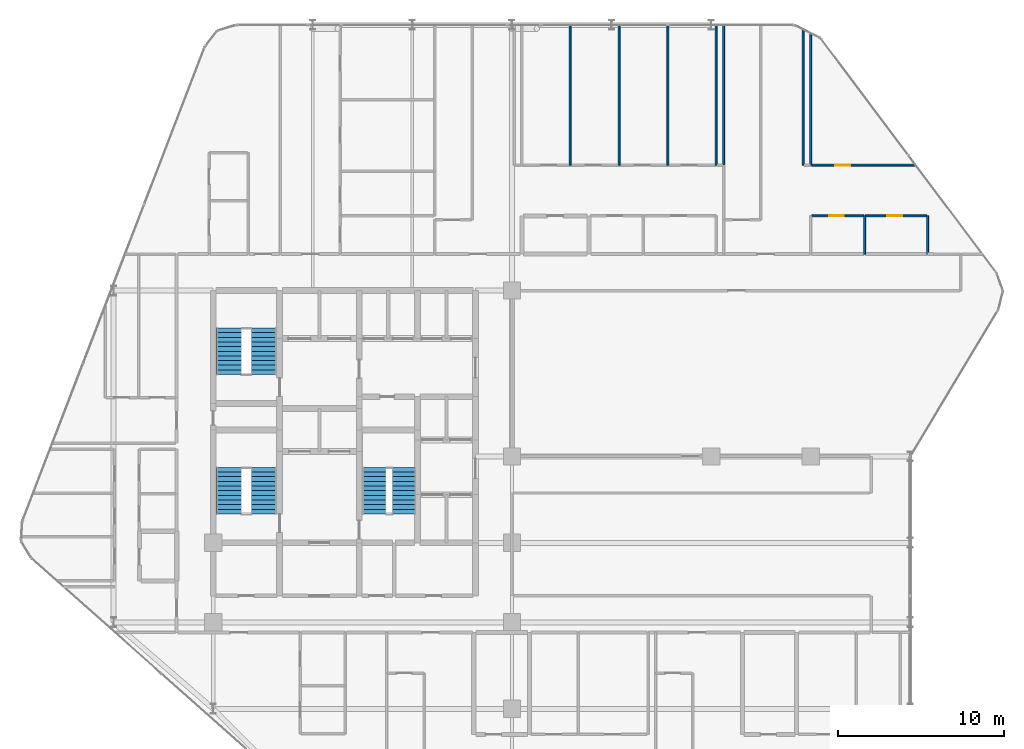
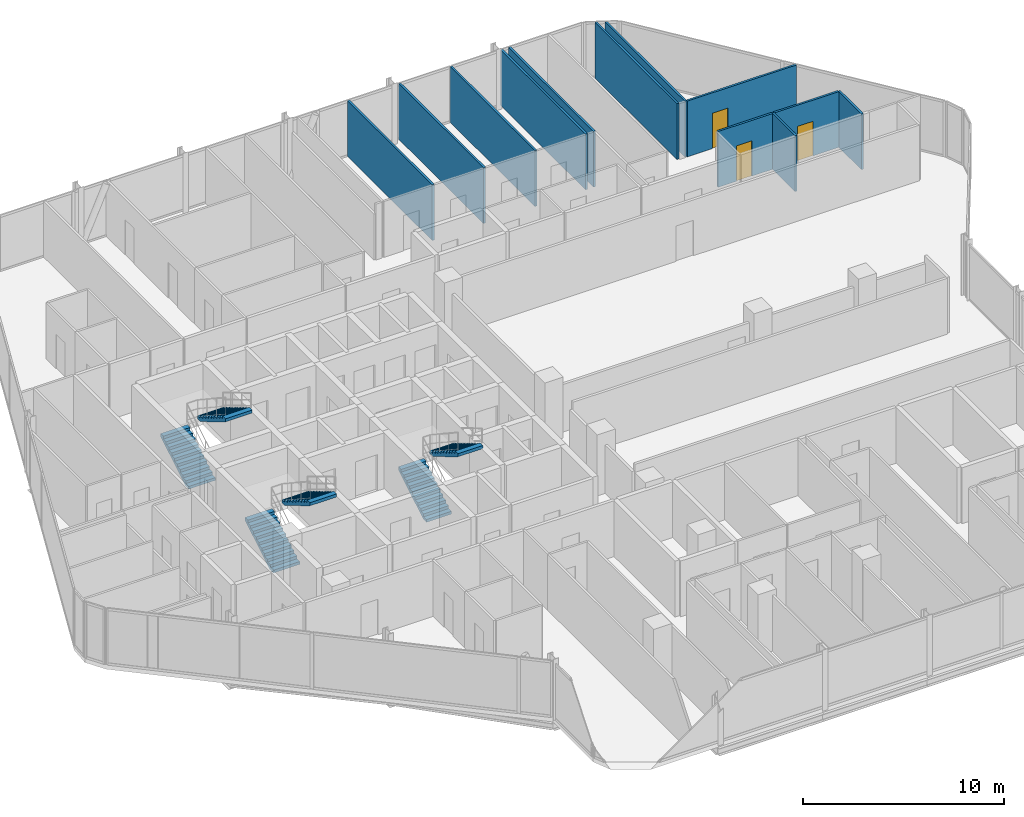
# One storey, part 28 of 29: 12 walls, 6 stair flights, 3 doors, 3 openings, 3 elements without a shape of their own.
"""IFC4 building model written with IfcOpenShell, lengths in metres."""

import ifcopenshell
import ifcopenshell.guid

model = None  # the IFC model being written
_history = None  # IfcOwnerHistory: only IFC2X3 demands one
_inside = {}  # id of a spatial element -> (the spatial element, [elements in it])
_under = {}  # id of a project, library or spatial element -> (it, [spatial elements below it])
_declared = {}  # id of a project -> (the project, [libraries it declares])
_typed = {}  # id of a type object -> (the type object, [elements of that type])
_made_of = {}  # id of a material, layer set ... -> (it, [elements and type objects made of it])


def new_model(schema):
    """Start an empty IFC model of exactly this schema.

    Asked for "IFC4X3", IfcOpenShell would pick the latest addendum, in which some entities
    have other attributes; the version numbers below select the first issue.
    IFC2X3 requires an IfcOwnerHistory on every rooted entity: one is made here for all.
    """
    global model, _history
    if schema == "IFC4X3":
        model = ifcopenshell.file(schema_version=(4, 3, 0, 0))
    else:
        model = ifcopenshell.file(schema=schema)
    _inside.clear()
    _under.clear()
    _declared.clear()
    _typed.clear()
    _made_of.clear()
    _history = None
    if model.schema == "IFC2X3":
        org = make("IfcOrganization", Name="unknown")
        user = make(
            "IfcPersonAndOrganization",
            ThePerson=make("IfcPerson", FamilyName="unknown"),
            TheOrganization=org,
        )
        app = make(
            "IfcApplication",
            ApplicationDeveloper=org,
            Version="unknown",
            ApplicationFullName="unknown",
            ApplicationIdentifier="unknown",
        )
        _history = make(
            "IfcOwnerHistory",
            OwningUser=user,
            OwningApplication=app,
            ChangeAction="ADDED",
            CreationDate=0,
        )
    return model


def make(cls, **values):
    """One entity of the class cls with the attributes given. An attribute that is None is left unset."""
    return model.create_entity(
        cls, **{name: value for name, value in values.items() if value is not None}
    )


def rooted(cls, **values):
    """An entity with a GlobalId (a new one), such as an element, a storey or a relation."""
    return make(cls, GlobalId=ifcopenshell.guid.new(), OwnerHistory=_history, **values)


def si_unit(unit_type, name, prefix=None):
    """IfcSIUnit, for example si_unit("LENGTHUNIT", "METRE", prefix="MILLI")."""
    return make("IfcSIUnit", UnitType=unit_type, Prefix=prefix, Name=name)


def assignment(units):
    """IfcUnitAssignment: the units of a project."""
    return None if units is None else make("IfcUnitAssignment", Units=units)


def point(xyz):
    """IfcCartesianPoint."""
    return None if xyz is None else make("IfcCartesianPoint", Coordinates=xyz)


def direction(xyz):
    """IfcDirection."""
    return None if xyz is None else make("IfcDirection", DirectionRatios=xyz)


def frame(location, z_axis=None, x_axis=None):
    """IfcAxis2Placement3D, a coordinate frame: its origin and axes. An axis left out is left unset."""
    return make(
        "IfcAxis2Placement3D",
        Location=point(location),
        Axis=direction(z_axis),
        RefDirection=direction(x_axis),
    )


def frame_2d(location, x_axis=None):
    """IfcAxis2Placement2D, a coordinate frame in the plane: its origin and x axis."""
    return make(
        "IfcAxis2Placement2D", Location=point(location), RefDirection=direction(x_axis)
    )


def origin():
    """The frame at (0, 0, 0) with its axes left unset."""
    return frame((0.0, 0.0, 0.0))


def place(relative_to, where):
    """IfcLocalPlacement: puts the frame where relative to a parent placement (None: the world)."""
    return make(
        "IfcLocalPlacement", PlacementRelTo=relative_to, RelativePlacement=where
    )


def context(
    kind, dimensions, precision=None, world=None, true_north=None, identifier=None
):
    """IfcGeometricRepresentationContext, for example the 3D "Model" context."""
    return make(
        "IfcGeometricRepresentationContext",
        ContextIdentifier=identifier,
        ContextType=kind,
        CoordinateSpaceDimension=dimensions,
        Precision=precision,
        WorldCoordinateSystem=world,
        TrueNorth=true_north,
    )


def subcontext(parent, identifier, kind, view, scale=None):
    """IfcGeometricRepresentationSubContext, for example "Body" below "Model"."""
    return make(
        "IfcGeometricRepresentationSubContext",
        ContextIdentifier=identifier,
        ContextType=kind,
        ParentContext=parent,
        TargetScale=scale,
        TargetView=view,
    )


def project(units=None, contexts=None):
    """IfcProject with its units and contexts."""
    return rooted(
        "IfcProject",
        Name="project",
        RepresentationContexts=contexts,
        UnitsInContext=assignment(units),
    )


def spatial(cls, under=None, at=None, **own):
    """A site, building, storey or space (cls), placed at a placement, below another one or the project."""
    s = rooted(cls, ObjectPlacement=at, **own)
    if under is not None:
        _under.setdefault(under.id(), (under, []))[1].append(s)
    return s


def polyline(points):
    """IfcPolyline through the points."""
    return make("IfcPolyline", Points=[point(p) for p in points])


def profile(cls, at=None, kind="AREA", **sizes):
    """A parametric profile (cls). Its sizes go by their IFC names, for example OverallWidth=200.0."""
    return make(cls, ProfileType=kind, Position=at, **sizes)


def rectangle(**sizes):
    """IfcRectangleProfileDef."""
    return profile("IfcRectangleProfileDef", **sizes)


def outline(outer, holes=None, kind="AREA"):
    """IfcArbitraryClosedProfileDef: a profile drawn as a closed curve; with holes, ...WithVoids."""
    if holes is None:
        return make("IfcArbitraryClosedProfileDef", ProfileType=kind, OuterCurve=outer)
    return make(
        "IfcArbitraryProfileDefWithVoids",
        ProfileType=kind,
        OuterCurve=outer,
        InnerCurves=holes,
    )


def extrude(swept, where, along, depth):
    """IfcExtrudedAreaSolid: the profile swept, set in the frame where, extruded along a direction by depth."""
    return make(
        "IfcExtrudedAreaSolid",
        SweptArea=swept,
        Position=where,
        ExtrudedDirection=direction(along),
        Depth=depth,
    )


def shape(context_of_items, identifier, shape_type, items):
    """IfcShapeRepresentation: the items that make up one representation, for example the "Body"."""
    return make(
        "IfcShapeRepresentation",
        ContextOfItems=context_of_items,
        RepresentationIdentifier=identifier,
        RepresentationType=shape_type,
        Items=items,
    )


def material(Name=None, Category=None):
    """IfcMaterial."""
    return make("IfcMaterial", Name=Name, Category=Category)


def layer(
    of_material, thickness, ventilated=None, Name=None, Category=None, Priority=None
):
    """IfcMaterialLayer: one layer of a wall or slab, of a material (None: an air gap)."""
    return make(
        "IfcMaterialLayer",
        Material=of_material,
        LayerThickness=thickness,
        IsVentilated=ventilated,
        Name=Name,
        Category=Category,
        Priority=Priority,
    )


def layer_set(layers, Name=None):
    """IfcMaterialLayerSet."""
    return make("IfcMaterialLayerSet", MaterialLayers=layers, LayerSetName=Name)


def made_of(thing, what):
    """Note that an element or type object is made of a material, layer set ...; save() writes the relation."""
    if what is not None:
        _made_of.setdefault(what.id(), (what, []))[1].append(thing)
    return thing


def type_object(cls, material=None, **own):
    """A type object (cls), such as IfcWallType, which elements share."""
    return made_of(rooted(cls, **own), material)


def element(
    cls,
    number,
    at=None,
    inside=None,
    cuts=None,
    type_object=None,
    material=None,
    context=None,
    identifier="Body",
    shape_type=None,
    held_by="IfcProductDefinitionShape",
    body=None,
    shapes=None,
    **own,
):
    """One element of the class cls, such as IfcWall. Its Tag is "e" and its number.

    at: its placement. inside: the storey or other place that contains it. cuts: it is an
    opening in that element (IfcRelVoidsElement). A single representation is given by context,
    identifier, shape_type and body (its items); several are given by shapes. held_by: the class
    of the entity that holds the representations. save() writes the other relations.
    """
    e = rooted(cls, Tag="e%d" % number, ObjectPlacement=at, **own)
    if body is not None:
        shapes = [shape(context, identifier, shape_type, body)]
    if shapes is not None:
        e.Representation = make(held_by, Representations=shapes)
    if inside is not None:
        _inside.setdefault(inside.id(), (inside, []))[1].append(e)
    if cuts is not None:
        rooted(
            "IfcRelVoidsElement", RelatingBuildingElement=cuts, RelatedOpeningElement=e
        )
    if type_object is not None:
        _typed.setdefault(type_object.id(), (type_object, []))[1].append(e)
    return made_of(e, material)


def fill(opening, filler):
    """IfcRelFillsElement: the door or window that sits in an opening."""
    return rooted(
        "IfcRelFillsElement",
        RelatingOpeningElement=opening,
        RelatedBuildingElement=filler,
    )


def aggregate(whole, parts):
    """IfcRelAggregates: a whole, such as a stair, and the parts it consists of."""
    return rooted("IfcRelAggregates", RelatingObject=whole, RelatedObjects=parts)


def save(model, path):
    """Write the relations noted so far, then the file.

    IfcRelAggregates (storeys below a building ...), IfcRelContainedInSpatialStructure (elements
    in a storey), IfcRelDefinesByType, IfcRelAssociatesMaterial and IfcRelDeclares: one each for
    every whole, place, type object, material and project.
    """
    for whole, parts in _under.values():
        aggregate(whole, parts)
    for where, things in _inside.values():
        rooted(
            "IfcRelContainedInSpatialStructure",
            RelatedElements=things,
            RelatingStructure=where,
        )
    for kind, things in _typed.values():
        rooted("IfcRelDefinesByType", RelatedObjects=things, RelatingType=kind)
    for what, things in _made_of.values():
        rooted("IfcRelAssociatesMaterial", RelatedObjects=things, RelatingMaterial=what)
    for by, libraries in _declared.values():
        rooted("IfcRelDeclares", RelatingContext=by, RelatedDefinitions=libraries)
    model.write(path)


model = new_model("IFC4")

# Units and contexts
model_context = context("Model", 3, precision=1e-05, world=origin(), true_north=direction((0.0, 1.0)))
body_context = subcontext(model_context, "Body", "Model", "MODEL_VIEW")
ifc_project = project(units=[si_unit("LENGTHUNIT", "METRE"), si_unit("AREAUNIT", "SQUARE_METRE"), si_unit("VOLUMEUNIT", "CUBIC_METRE"), si_unit("PLANEANGLEUNIT", "RADIAN"), si_unit("MASSUNIT", "GRAM", prefix="KILO")], contexts=[model_context])

# Site, building, storey
site_placement = place(None, origin())
site = spatial("IfcSite", under=ifc_project, at=site_placement, CompositionType="ELEMENT")
building_placement = place(site_placement, origin())
building = spatial("IfcBuilding", under=site, at=building_placement, Name="Keshet Zoharim Tower", CompositionType="ELEMENT")
storey_placement = place(building_placement, frame((0.0, 0.0, 98.300048828125)))
storey = spatial("IfcBuildingStorey", under=building, at=storey_placement, Name="L23", CompositionType="ELEMENT", Elevation=98.300048828125)

# Walls
ifc_material_1 = material(Name="Gypsum Plasterboard", Category="gypsum")
ifc_layer_1 = layer(ifc_material_1, 0.1201171875)
ifc_layer_set_1 = layer_set([ifc_layer_1], Name="Gypsum Plasterboard")
wall_type_1 = type_object("IfcWallType", Name="WL-PART-120", PredefinedType="PARTITIONING", material=ifc_layer_set_1)
for number, where, z_axis, x_axis, name in (
    (1, (36.5, 45.449951171875, 0.0), (0.0, 0.0, 1.0), (0.0, 1.0, 0.0), "L23 Interior Wall 077"),
    (2, (39.449951171875, 45.449951171875, 0.0), (0.0, 0.0, 1.0), (0.0, 1.0, 0.0), "L23 Interior Wall 081"),
    (3, (42.39990234375, 45.449951171875, 0.0), (0.0, 0.0, 1.0), (0.0, 1.0, 0.0), "L23 Interior Wall 088"),
    (4, (45.300048828125, 45.449951171875, 0.0), (0.0, 0.0, 1.0), (0.0, 1.0, 0.0), "L23 Interior Wall 091"),
    (5, (45.75, 45.449951171875, 0.0), (0.0, 0.0, 1.0), (0.0, 1.0, 0.0), "L23 Interior Wall 094"),
):
    element("IfcWall", number, at=place(storey_placement, frame(where, z_axis=z_axis, x_axis=x_axis)), inside=storey, type_object=wall_type_1, Name=name, PredefinedType="PARTITIONING", context=body_context, shape_type="SweptSolid", body=[
        extrude(rectangle(XDim=8.43994140625, YDim=0.1201171875, at=frame_2d((4.219970703125, 0.0))), origin(), (0.0, 0.0, 1.0), 3.385009765625),
    ])
wall_1_placement = place(storey_placement, frame((50.550048828125, 45.449951171875, 0.0), z_axis=(0.0, 0.0, 1.0), x_axis=(0.0, 1.0, 0.0)))
element("IfcWall", 6, at=wall_1_placement, inside=storey, type_object=wall_type_1, Name="L23 Interior Wall 101", PredefinedType="PARTITIONING", context=body_context, shape_type="SweptSolid", body=[
    extrude(rectangle(XDim=8.1650390625, YDim=0.1201171875, at=frame_2d((4.08251953125, 0.0))), origin(), (0.0, 0.0, 1.0), 3.385009765625),
])
wall_2_placement = place(storey_placement, frame((51.0, 45.449951171875, 0.0), z_axis=(0.0, 0.0, 1.0), x_axis=(0.0, 1.0, 0.0)))
element("IfcWall", 7, at=wall_2_placement, inside=storey, type_object=wall_type_1, Name="L23 Interior Wall 103", PredefinedType="PARTITIONING", context=body_context, shape_type="SweptSolid", body=[
    extrude(rectangle(XDim=7.93994140625, YDim=0.1201171875, at=frame_2d((3.969970703125, 0.0))), origin(), (0.0, 0.0, 1.0), 3.385009765625),
])

# Wall, opening, door
wall_3_placement = place(storey_placement, frame((51.054931640625, 42.39990234375, 0.0), z_axis=(0.0, 0.0, 1.0), x_axis=(1.0, 0.0, 0.0)))
wall_3 = element("IfcWall", 8, at=wall_3_placement, inside=storey, type_object=wall_type_1, Name="L23 Interior Wall 203", PredefinedType="PARTITIONING", context=body_context, shape_type="SweptSolid", body=[
    extrude(rectangle(XDim=3.14306640625, YDim=0.1201171875, at=frame_2d((1.571533203125, 0.0))), origin(), (0.0, 0.0, 1.0), 3.385009765625),
])
opening_1_placement = place(wall_3_placement, frame((1.051025390625, 0.0, 0.0)))
opening_1 = element("IfcOpeningElement", 9, at=opening_1_placement, cuts=wall_3, Name="Opening D-IN90", PredefinedType="OPENING", context=body_context, shape_type="SweptSolid", body=[
    extrude(rectangle(XDim=0.89990234375, YDim=2.14990234375, at=frame_2d((0.449951171875, 1.074951171875))), frame((0.0, 0.070068359375, 0.0), z_axis=(0.0, -1.0, 0.0), x_axis=(1.0, 0.0, 0.0)), (0.0, 0.0, 1.0), 0.14013671875),
])
ifc_material_2 = material(Name="Hardwood Timber", Category="wood")
door_type_1 = type_object("IfcDoorType", Name="DR-INT-090", OperationType="NOTDEFINED", PredefinedType="DOOR", material=ifc_material_2)
door_1_placement = place(opening_1_placement, origin())
door_1 = element("IfcDoor", 10, at=door_1_placement, inside=storey, type_object=door_type_1, Name="Apartment 2307 Kitchen Door", OperationType="SINGLE_SWING_RIGHT", OverallHeight=2.14990234375, OverallWidth=0.89990234375, PredefinedType="DOOR", context=body_context, shape_type="SweptSolid", body=[
    extrude(rectangle(XDim=0.89990234375, YDim=2.14990234375, at=frame_2d((0.449951171875, 1.074951171875))), frame((0.0, 0.02490234375, 0.0), z_axis=(0.0, -1.0, 0.0), x_axis=(1.0, 0.0, 0.0)), (0.0, 0.0, 1.0), 0.050048828125),
])
fill(opening_1, door_1)

wall_4_placement = place(storey_placement, frame((51.054931640625, 45.449951171875, 0.0), z_axis=(0.0, 0.0, 1.0), x_axis=(1.0, 0.0, 0.0)))
wall_4 = element("IfcWall", 11, at=wall_4_placement, inside=storey, type_object=wall_type_1, Name="L23 Interior Wall 211", PredefinedType="PARTITIONING", context=body_context, shape_type="SweptSolid", body=[
    extrude(rectangle(XDim=6.27294921875, YDim=0.1201171875, at=frame_2d((3.136474609375, 0.0))), origin(), (0.0, 0.0, 1.0), 3.385009765625),
])
opening_2_placement = place(wall_4_placement, frame((1.43701171875, 0.0, 0.0)))
opening_2 = element("IfcOpeningElement", 12, at=opening_2_placement, cuts=wall_4, Name="Opening D-IN90", PredefinedType="OPENING", context=body_context, shape_type="SweptSolid", body=[
    extrude(rectangle(XDim=0.89990234375, YDim=2.14990234375, at=frame_2d((0.449951171875, 1.074951171875))), frame((0.0, 0.070068359375, 0.0), z_axis=(0.0, -1.0, 0.0), x_axis=(1.0, 0.0, 0.0)), (0.0, 0.0, 1.0), 0.14013671875),
])
door_2_placement = place(opening_2_placement, origin())
door_2 = element("IfcDoor", 13, at=door_2_placement, inside=storey, type_object=door_type_1, Name="Apartment 2307 Bedroom 1 Door", OperationType="SINGLE_SWING_RIGHT", OverallHeight=2.14990234375, OverallWidth=0.89990234375, PredefinedType="DOOR", context=body_context, shape_type="SweptSolid", body=[
    extrude(rectangle(XDim=0.89990234375, YDim=2.14990234375, at=frame_2d((0.449951171875, 1.074951171875))), frame((0.0, 0.02490234375, 0.0), z_axis=(0.0, -1.0, 0.0), x_axis=(1.0, 0.0, 0.0)), (0.0, 0.0, 1.0), 0.050048828125),
])
fill(opening_2, door_2)

# Walls
ifc_layer_2 = layer(ifc_material_1, 0.1201171875)
ifc_layer_set_2 = layer_set([ifc_layer_2], Name="Gypsum Plasterboard")
wall_type_2 = type_object("IfcWallType", Name="WL-WET-120", PredefinedType="PARTITIONING", material=ifc_layer_set_2)
for number, where, z_axis, x_axis, name in (
    (14, (54.25, 40.10009765625, 0.0), (0.0, 0.0, 1.0), (0.0, 1.0, 0.0), "L23 Interior Wall 107"),
    (15, (58.050048828125, 40.10009765625, 0.0), (0.0, 0.0, 1.0), (0.0, 1.0, 0.0), "L23 Interior Wall 111"),
):
    element("IfcWall", number, at=place(storey_placement, frame(where, z_axis=z_axis, x_axis=x_axis)), inside=storey, type_object=wall_type_2, Name=name, PredefinedType="PARTITIONING", context=body_context, shape_type="SweptSolid", body=[
        extrude(rectangle(XDim=2.2998046875, YDim=0.1201171875, at=frame_2d((1.14990234375, 0.0))), origin(), (0.0, 0.0, 1.0), 3.385009765625),
    ])

# Wall, opening, door
wall_5_placement = place(storey_placement, frame((54.2880859375, 42.39990234375, 0.0), z_axis=(0.0, 0.0, 1.0), x_axis=(1.0, 0.0, 0.0)))
wall_5 = element("IfcWall", 16, at=wall_5_placement, inside=storey, type_object=wall_type_2, Name="L23 Interior Wall 204", PredefinedType="PARTITIONING", context=body_context, shape_type="SweptSolid", body=[
    extrude(rectangle(XDim=3.704833984375, YDim=0.1201171875, at=frame_2d((1.8525390625, 0.0))), origin(), (0.0, 0.0, 1.0), 3.385009765625),
])
opening_3_placement = place(wall_5_placement, frame((1.33203125, 0.0, 0.0)))
opening_3 = element("IfcOpeningElement", 17, at=opening_3_placement, cuts=wall_5, Name="Opening D-WT90", PredefinedType="OPENING", context=body_context, shape_type="SweptSolid", body=[
    extrude(rectangle(XDim=0.89990234375, YDim=2.10009765625, at=frame_2d((0.449951171875, 1.050048828125))), frame((0.0, 0.070068359375, 0.0), z_axis=(0.0, -1.0, 0.0), x_axis=(1.0, 0.0, 0.0)), (0.0, 0.0, 1.0), 0.14013671875),
])
door_type_2 = type_object("IfcDoorType", Name="DR-WET-090", OperationType="NOTDEFINED", PredefinedType="DOOR", material=ifc_material_2)
door_3_placement = place(opening_3_placement, origin())
door_3 = element("IfcDoor", 18, at=door_3_placement, inside=storey, type_object=door_type_2, Name="Apartment 2307 Bathroom Door", OperationType="SINGLE_SWING_LEFT", OverallHeight=2.10009765625, OverallWidth=0.89990234375, PredefinedType="DOOR", context=body_context, shape_type="SweptSolid", body=[
    extrude(rectangle(XDim=0.89990234375, YDim=2.10009765625, at=frame_2d((0.449951171875, 1.050048828125))), frame((0.0, 0.02490234375, 0.0), z_axis=(0.0, -1.0, 0.0), x_axis=(1.0, 0.0, 0.0)), (0.0, 0.0, 1.0), 0.050048828125),
])
fill(opening_3, door_3)

# Stair, stair flights
ifc_material_3 = material(Name="Concrete C50/60", Category="concrete")
stair_type = type_object("IfcStairType", Name="STR-EXIT-135", PredefinedType="HALF_TURN_STAIR", material=ifc_material_3)
stair_1_placement = place(storey_placement, origin())
stair_1 = element("IfcStair", 19, at=stair_1_placement, inside=storey, type_object=stair_type, Name="L23 Enclosed Exit Stair ST-01", PredefinedType="HALF_TURN_STAIR")
stair_flight_type_1 = type_object("IfcStairFlightType", Name="FLT-PRE-135", PredefinedType="STRAIGHT", material=ifc_material_3)
stair_flight_1_placement = place(storey_placement, frame((15.945068359375, 24.43994140625, 0.0), z_axis=(0.0, 0.0, 1.0), x_axis=(0.0, 1.0, 0.0)))
stair_flight_1 = element("IfcStairFlight", 20, at=stair_flight_1_placement, type_object=stair_flight_type_1, Name="ST-01 flight 1", NumberOfRisers=11, NumberOfTreads=10, PredefinedType="STRAIGHT", RiserHeight=0.168182, TreadLength=0.28, context=body_context, shape_type="SweptSolid", body=[
    extrude(outline(polyline([(0.0, 0.0), (0.0, 0.168212890625), (0.280029296875, 0.168212890625), (0.280029296875, 0.33642578125), (0.56005859375, 0.33642578125), (0.56005859375, 0.504638671875), (0.840087890625, 0.504638671875), (0.840087890625, 0.672607421875), (1.1201171875, 0.672607421875), (1.1201171875, 0.8408203125), (1.39990234375, 0.8408203125), (1.39990234375, 1.009033203125), (1.679931640625, 1.009033203125), (1.679931640625, 1.17724609375), (1.9599609375, 1.17724609375), (1.9599609375, 1.345458984375), (2.239990234375, 1.345458984375), (2.239990234375, 1.513671875), (2.52001953125, 1.513671875), (2.52001953125, 1.681884765625), (2.800048828125, 1.681884765625), (2.800048828125, 1.85009765625), (2.800048828125, 1.495361328125), (0.310546875, 0.0), (0.0, 0.0)])), frame((0.0, 0.76513671875, 0.0), z_axis=(0.0, -1.0, 0.0), x_axis=(1.0, 0.0, 0.0)), (0.0, 0.0, 1.0), 1.530029296875),
])
stair_flight_2_placement = place(storey_placement, frame((18.054931640625, 27.239990234375, 1.849853515625), z_axis=(0.0, 0.0, 1.0), x_axis=(0.0, -1.0, 0.0)))
stair_flight_2 = element("IfcStairFlight", 21, at=stair_flight_2_placement, type_object=stair_flight_type_1, Name="ST-01 flight 2", NumberOfRisers=11, NumberOfTreads=10, PredefinedType="STRAIGHT", RiserHeight=0.168182, TreadLength=0.28, context=body_context, shape_type="SweptSolid", body=[
    extrude(outline(polyline([(0.0, 0.0), (0.0, 0.168212890625), (0.280029296875, 0.168212890625), (0.280029296875, 0.33642578125), (0.56005859375, 0.33642578125), (0.56005859375, 0.504638671875), (0.840087890625, 0.504638671875), (0.840087890625, 0.672607421875), (1.1201171875, 0.672607421875), (1.1201171875, 0.8408203125), (1.39990234375, 0.8408203125), (1.39990234375, 1.009033203125), (1.679931640625, 1.009033203125), (1.679931640625, 1.17724609375), (1.9599609375, 1.17724609375), (1.9599609375, 1.345458984375), (2.239990234375, 1.345458984375), (2.239990234375, 1.513671875), (2.52001953125, 1.513671875), (2.52001953125, 1.681884765625), (2.800048828125, 1.681884765625), (2.800048828125, 1.85009765625), (2.800048828125, 1.495361328125), (0.310546875, 0.0), (0.0, 0.0)])), frame((0.0, 0.76513671875, 0.0), z_axis=(0.0, -1.0, 0.0), x_axis=(1.0, 0.0, 0.0)), (0.0, 0.0, 1.0), 1.530029296875),
])
aggregate(stair_1, [stair_flight_1, stair_flight_2])

stair_2_placement = place(storey_placement, origin())
stair_2 = element("IfcStair", 22, at=stair_2_placement, inside=storey, type_object=stair_type, Name="L23 Enclosed Exit Stair ST-02", PredefinedType="HALF_TURN_STAIR")
stair_flight_3_placement = place(storey_placement, frame((15.945068359375, 32.840087890625, 0.0), z_axis=(0.0, 0.0, 1.0), x_axis=(0.0, 1.0, 0.0)))
stair_flight_3 = element("IfcStairFlight", 23, at=stair_flight_3_placement, type_object=stair_flight_type_1, Name="ST-02 flight 1", NumberOfRisers=11, NumberOfTreads=10, PredefinedType="STRAIGHT", RiserHeight=0.168182, TreadLength=0.28, context=body_context, shape_type="SweptSolid", body=[
    extrude(outline(polyline([(0.0, 0.0), (0.0, 0.168212890625), (0.280029296875, 0.168212890625), (0.280029296875, 0.33642578125), (0.56005859375, 0.33642578125), (0.56005859375, 0.504638671875), (0.840087890625, 0.504638671875), (0.840087890625, 0.672607421875), (1.1201171875, 0.672607421875), (1.1201171875, 0.8408203125), (1.39990234375, 0.8408203125), (1.39990234375, 1.009033203125), (1.679931640625, 1.009033203125), (1.679931640625, 1.17724609375), (1.9599609375, 1.17724609375), (1.9599609375, 1.345458984375), (2.239990234375, 1.345458984375), (2.239990234375, 1.513671875), (2.52001953125, 1.513671875), (2.52001953125, 1.681884765625), (2.800048828125, 1.681884765625), (2.800048828125, 1.85009765625), (2.800048828125, 1.495361328125), (0.310546875, 0.0), (0.0, 0.0)])), frame((0.0, 0.76513671875, 0.0), z_axis=(0.0, -1.0, 0.0), x_axis=(1.0, 0.0, 0.0)), (0.0, 0.0, 1.0), 1.530029296875),
])
stair_flight_4_placement = place(storey_placement, frame((18.054931640625, 35.639892578125, 1.849853515625), z_axis=(0.0, 0.0, 1.0), x_axis=(0.0, -1.0, 0.0)))
stair_flight_4 = element("IfcStairFlight", 24, at=stair_flight_4_placement, type_object=stair_flight_type_1, Name="ST-02 flight 2", NumberOfRisers=11, NumberOfTreads=10, PredefinedType="STRAIGHT", RiserHeight=0.168182, TreadLength=0.28, context=body_context, shape_type="SweptSolid", body=[
    extrude(outline(polyline([(0.0, 0.0), (0.0, 0.168212890625), (0.280029296875, 0.168212890625), (0.280029296875, 0.33642578125), (0.56005859375, 0.33642578125), (0.56005859375, 0.504638671875), (0.840087890625, 0.504638671875), (0.840087890625, 0.672607421875), (1.1201171875, 0.672607421875), (1.1201171875, 0.8408203125), (1.39990234375, 0.8408203125), (1.39990234375, 1.009033203125), (1.679931640625, 1.009033203125), (1.679931640625, 1.17724609375), (1.9599609375, 1.17724609375), (1.9599609375, 1.345458984375), (2.239990234375, 1.345458984375), (2.239990234375, 1.513671875), (2.52001953125, 1.513671875), (2.52001953125, 1.681884765625), (2.800048828125, 1.681884765625), (2.800048828125, 1.85009765625), (2.800048828125, 1.495361328125), (0.310546875, 0.0), (0.0, 0.0)])), frame((0.0, 0.76513671875, 0.0), z_axis=(0.0, -1.0, 0.0), x_axis=(1.0, 0.0, 0.0)), (0.0, 0.0, 1.0), 1.530029296875),
])
aggregate(stair_2, [stair_flight_3, stair_flight_4])

stair_3_placement = place(storey_placement, origin())
stair_3 = element("IfcStair", 25, at=stair_3_placement, inside=storey, type_object=stair_type, Name="L23 Enclosed Exit Stair ST-03", PredefinedType="HALF_TURN_STAIR")
stair_flight_type_2 = type_object("IfcStairFlightType", Name="FLT-PRE-144", PredefinedType="STRAIGHT", material=ifc_material_3)
stair_flight_5_placement = place(storey_placement, frame((24.699951171875, 24.43994140625, 0.0), z_axis=(0.0, 0.0, 1.0), x_axis=(0.0, 1.0, 0.0)))
stair_flight_5 = element("IfcStairFlight", 26, at=stair_flight_5_placement, type_object=stair_flight_type_2, Name="ST-03 flight 1", NumberOfRisers=11, NumberOfTreads=10, PredefinedType="STRAIGHT", RiserHeight=0.168182, TreadLength=0.28, context=body_context, shape_type="SweptSolid", body=[
    extrude(outline(polyline([(0.0, 0.0), (0.0, 0.168212890625), (0.280029296875, 0.168212890625), (0.280029296875, 0.33642578125), (0.56005859375, 0.33642578125), (0.56005859375, 0.504638671875), (0.840087890625, 0.504638671875), (0.840087890625, 0.672607421875), (1.1201171875, 0.672607421875), (1.1201171875, 0.8408203125), (1.39990234375, 0.8408203125), (1.39990234375, 1.009033203125), (1.679931640625, 1.009033203125), (1.679931640625, 1.17724609375), (1.9599609375, 1.17724609375), (1.9599609375, 1.345458984375), (2.239990234375, 1.345458984375), (2.239990234375, 1.513671875), (2.52001953125, 1.513671875), (2.52001953125, 1.681884765625), (2.800048828125, 1.681884765625), (2.800048828125, 1.85009765625), (2.800048828125, 1.495361328125), (0.310546875, 0.0), (0.0, 0.0)])), frame((0.0, 0.719970703125, 0.0), z_axis=(0.0, -1.0, 0.0), x_axis=(1.0, 0.0, 0.0)), (0.0, 0.0, 1.0), 1.43994140625),
])
stair_flight_6_placement = place(storey_placement, frame((26.5, 27.239990234375, 1.849853515625), z_axis=(0.0, 0.0, 1.0), x_axis=(0.0, -1.0, 0.0)))
stair_flight_6 = element("IfcStairFlight", 27, at=stair_flight_6_placement, type_object=stair_flight_type_2, Name="ST-03 flight 2", NumberOfRisers=11, NumberOfTreads=10, PredefinedType="STRAIGHT", RiserHeight=0.168182, TreadLength=0.28, context=body_context, shape_type="SweptSolid", body=[
    extrude(outline(polyline([(0.0, 0.0), (0.0, 0.168212890625), (0.280029296875, 0.168212890625), (0.280029296875, 0.33642578125), (0.56005859375, 0.33642578125), (0.56005859375, 0.504638671875), (0.840087890625, 0.504638671875), (0.840087890625, 0.672607421875), (1.1201171875, 0.672607421875), (1.1201171875, 0.8408203125), (1.39990234375, 0.8408203125), (1.39990234375, 1.009033203125), (1.679931640625, 1.009033203125), (1.679931640625, 1.17724609375), (1.9599609375, 1.17724609375), (1.9599609375, 1.345458984375), (2.239990234375, 1.345458984375), (2.239990234375, 1.513671875), (2.52001953125, 1.513671875), (2.52001953125, 1.681884765625), (2.800048828125, 1.681884765625), (2.800048828125, 1.85009765625), (2.800048828125, 1.495361328125), (0.310546875, 0.0), (0.0, 0.0)])), frame((0.0, 0.719970703125, 0.0), z_axis=(0.0, -1.0, 0.0), x_axis=(1.0, 0.0, 0.0)), (0.0, 0.0, 1.0), 1.43994140625),
])
aggregate(stair_3, [stair_flight_5, stair_flight_6])

save(model, "model.ifc")
